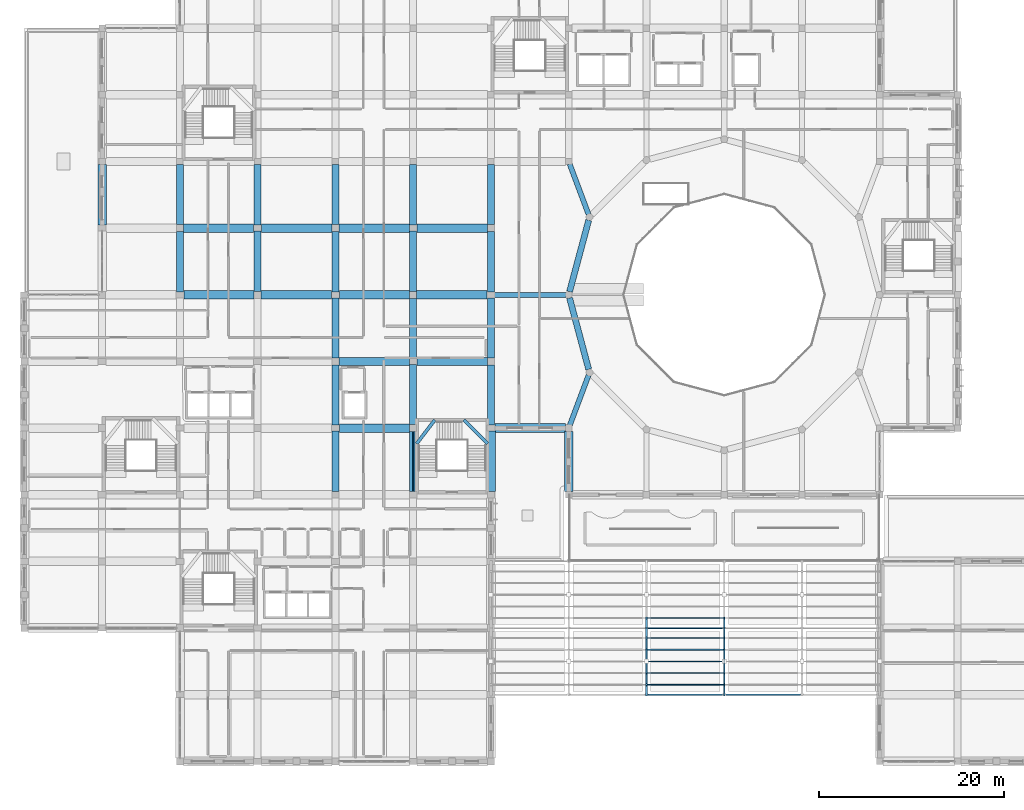
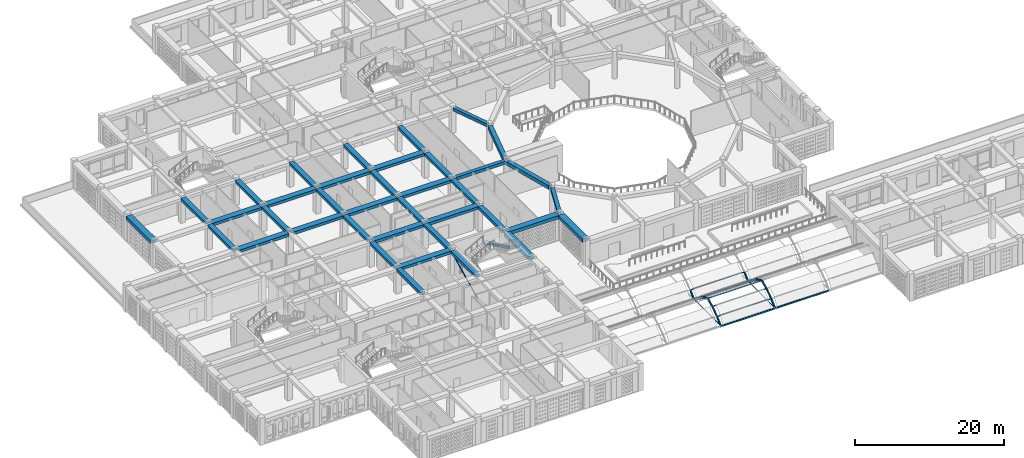
# One storey, part 10 of 100: 57 beams, 9 members.
"""IFC4 building model written with IfcOpenShell, lengths in metres."""

import ifcopenshell
import ifcopenshell.guid

model = None  # the IFC model being written
_history = None  # IfcOwnerHistory: only IFC2X3 demands one
_inside = {}  # id of a spatial element -> (the spatial element, [elements in it])
_under = {}  # id of a project, library or spatial element -> (it, [spatial elements below it])
_declared = {}  # id of a project -> (the project, [libraries it declares])
_typed = {}  # id of a type object -> (the type object, [elements of that type])
_made_of = {}  # id of a material, layer set ... -> (it, [elements and type objects made of it])


def new_model(schema):
    """Start an empty IFC model of exactly this schema.

    Asked for "IFC4X3", IfcOpenShell would pick the latest addendum, in which some entities
    have other attributes; the version numbers below select the first issue.
    IFC2X3 requires an IfcOwnerHistory on every rooted entity: one is made here for all.
    """
    global model, _history
    if schema == "IFC4X3":
        model = ifcopenshell.file(schema_version=(4, 3, 0, 0))
    else:
        model = ifcopenshell.file(schema=schema)
    _inside.clear()
    _under.clear()
    _declared.clear()
    _typed.clear()
    _made_of.clear()
    _history = None
    if model.schema == "IFC2X3":
        org = make("IfcOrganization", Name="unknown")
        user = make(
            "IfcPersonAndOrganization",
            ThePerson=make("IfcPerson", FamilyName="unknown"),
            TheOrganization=org,
        )
        app = make(
            "IfcApplication",
            ApplicationDeveloper=org,
            Version="unknown",
            ApplicationFullName="unknown",
            ApplicationIdentifier="unknown",
        )
        _history = make(
            "IfcOwnerHistory",
            OwningUser=user,
            OwningApplication=app,
            ChangeAction="ADDED",
            CreationDate=0,
        )
    return model


def make(cls, **values):
    """One entity of the class cls with the attributes given. An attribute that is None is left unset."""
    return model.create_entity(
        cls, **{name: value for name, value in values.items() if value is not None}
    )


def rooted(cls, **values):
    """An entity with a GlobalId (a new one), such as an element, a storey or a relation."""
    return make(cls, GlobalId=ifcopenshell.guid.new(), OwnerHistory=_history, **values)


def si_unit(unit_type, name, prefix=None):
    """IfcSIUnit, for example si_unit("LENGTHUNIT", "METRE", prefix="MILLI")."""
    return make("IfcSIUnit", UnitType=unit_type, Prefix=prefix, Name=name)


def derived_unit(unit_type, elements):
    """IfcDerivedUnit: a product of units, each with its exponent."""
    return make(
        "IfcDerivedUnit",
        Elements=[
            make("IfcDerivedUnitElement", Unit=unit, Exponent=power)
            for unit, power in elements
        ],
        UnitType=unit_type,
    )


def assignment(units):
    """IfcUnitAssignment: the units of a project."""
    return None if units is None else make("IfcUnitAssignment", Units=units)


def point(xyz):
    """IfcCartesianPoint."""
    return None if xyz is None else make("IfcCartesianPoint", Coordinates=xyz)


def direction(xyz):
    """IfcDirection."""
    return None if xyz is None else make("IfcDirection", DirectionRatios=xyz)


def frame(location, z_axis=None, x_axis=None):
    """IfcAxis2Placement3D, a coordinate frame: its origin and axes. An axis left out is left unset."""
    return make(
        "IfcAxis2Placement3D",
        Location=point(location),
        Axis=direction(z_axis),
        RefDirection=direction(x_axis),
    )


def frame_2d(location, x_axis=None):
    """IfcAxis2Placement2D, a coordinate frame in the plane: its origin and x axis."""
    return make(
        "IfcAxis2Placement2D", Location=point(location), RefDirection=direction(x_axis)
    )


def origin():
    """The frame at (0, 0, 0) with its axes left unset."""
    return frame((0.0, 0.0, 0.0))


def origin_2d():
    """The frame at (0, 0) in the plane with its x axis left unset."""
    return frame_2d((0.0, 0.0))


def place(relative_to, where):
    """IfcLocalPlacement: puts the frame where relative to a parent placement (None: the world)."""
    return make(
        "IfcLocalPlacement", PlacementRelTo=relative_to, RelativePlacement=where
    )


def context(
    kind, dimensions, precision=None, world=None, true_north=None, identifier=None
):
    """IfcGeometricRepresentationContext, for example the 3D "Model" context."""
    return make(
        "IfcGeometricRepresentationContext",
        ContextIdentifier=identifier,
        ContextType=kind,
        CoordinateSpaceDimension=dimensions,
        Precision=precision,
        WorldCoordinateSystem=world,
        TrueNorth=true_north,
    )


def subcontext(parent, identifier, kind, view, scale=None):
    """IfcGeometricRepresentationSubContext, for example "Body" below "Model"."""
    return make(
        "IfcGeometricRepresentationSubContext",
        ContextIdentifier=identifier,
        ContextType=kind,
        ParentContext=parent,
        TargetScale=scale,
        TargetView=view,
    )


def project(units=None, contexts=None):
    """IfcProject with its units and contexts."""
    return rooted(
        "IfcProject",
        Name="project",
        RepresentationContexts=contexts,
        UnitsInContext=assignment(units),
    )


def spatial(cls, under=None, at=None, **own):
    """A site, building, storey or space (cls), placed at a placement, below another one or the project."""
    s = rooted(cls, ObjectPlacement=at, **own)
    if under is not None:
        _under.setdefault(under.id(), (under, []))[1].append(s)
    return s


def profile(cls, at=None, kind="AREA", **sizes):
    """A parametric profile (cls). Its sizes go by their IFC names, for example OverallWidth=200.0."""
    return make(cls, ProfileType=kind, Position=at, **sizes)


def rectangle(**sizes):
    """IfcRectangleProfileDef."""
    return profile("IfcRectangleProfileDef", **sizes)


def hollow_rectangle(**sizes):
    """IfcRectangleHollowProfileDef."""
    return profile("IfcRectangleHollowProfileDef", **sizes)


def hollow_circle(**sizes):
    """IfcCircleHollowProfileDef."""
    return profile("IfcCircleHollowProfileDef", **sizes)


def i_section(**sizes):
    """IfcIShapeProfileDef."""
    return profile("IfcIShapeProfileDef", **sizes)


def extrude(swept, where, along, depth):
    """IfcExtrudedAreaSolid: the profile swept, set in the frame where, extruded along a direction by depth."""
    return make(
        "IfcExtrudedAreaSolid",
        SweptArea=swept,
        Position=where,
        ExtrudedDirection=direction(along),
        Depth=depth,
    )


def shape(context_of_items, identifier, shape_type, items):
    """IfcShapeRepresentation: the items that make up one representation, for example the "Body"."""
    return make(
        "IfcShapeRepresentation",
        ContextOfItems=context_of_items,
        RepresentationIdentifier=identifier,
        RepresentationType=shape_type,
        Items=items,
    )


def material(Name=None, Category=None):
    """IfcMaterial."""
    return make("IfcMaterial", Name=Name, Category=Category)


def material_profile(
    of_material, cross_section, Name=None, Category=None, Priority=None
):
    """IfcMaterialProfile: a cross section and its material."""
    return make(
        "IfcMaterialProfile",
        Name=Name,
        Material=of_material,
        Profile=cross_section,
        Priority=Priority,
        Category=Category,
    )


def profile_set(profiles, Name=None, composite=None):
    """IfcMaterialProfileSet."""
    return make(
        "IfcMaterialProfileSet",
        Name=Name,
        MaterialProfiles=profiles,
        CompositeProfile=composite,
    )


def made_of(thing, what):
    """Note that an element or type object is made of a material, layer set ...; save() writes the relation."""
    if what is not None:
        _made_of.setdefault(what.id(), (what, []))[1].append(thing)
    return thing


def type_object(cls, material=None, **own):
    """A type object (cls), such as IfcWallType, which elements share."""
    return made_of(rooted(cls, **own), material)


def element(
    cls,
    number,
    at=None,
    inside=None,
    cuts=None,
    type_object=None,
    material=None,
    context=None,
    identifier="Body",
    shape_type=None,
    held_by="IfcProductDefinitionShape",
    body=None,
    shapes=None,
    **own,
):
    """One element of the class cls, such as IfcWall. Its Tag is "e" and its number.

    at: its placement. inside: the storey or other place that contains it. cuts: it is an
    opening in that element (IfcRelVoidsElement). A single representation is given by context,
    identifier, shape_type and body (its items); several are given by shapes. held_by: the class
    of the entity that holds the representations. save() writes the other relations.
    """
    e = rooted(cls, Tag="e%d" % number, ObjectPlacement=at, **own)
    if body is not None:
        shapes = [shape(context, identifier, shape_type, body)]
    if shapes is not None:
        e.Representation = make(held_by, Representations=shapes)
    if inside is not None:
        _inside.setdefault(inside.id(), (inside, []))[1].append(e)
    if cuts is not None:
        rooted(
            "IfcRelVoidsElement", RelatingBuildingElement=cuts, RelatedOpeningElement=e
        )
    if type_object is not None:
        _typed.setdefault(type_object.id(), (type_object, []))[1].append(e)
    return made_of(e, material)


def aggregate(whole, parts):
    """IfcRelAggregates: a whole, such as a stair, and the parts it consists of."""
    return rooted("IfcRelAggregates", RelatingObject=whole, RelatedObjects=parts)


def save(model, path):
    """Write the relations noted so far, then the file.

    IfcRelAggregates (storeys below a building ...), IfcRelContainedInSpatialStructure (elements
    in a storey), IfcRelDefinesByType, IfcRelAssociatesMaterial and IfcRelDeclares: one each for
    every whole, place, type object, material and project.
    """
    for whole, parts in _under.values():
        aggregate(whole, parts)
    for where, things in _inside.values():
        rooted(
            "IfcRelContainedInSpatialStructure",
            RelatedElements=things,
            RelatingStructure=where,
        )
    for kind, things in _typed.values():
        rooted("IfcRelDefinesByType", RelatedObjects=things, RelatingType=kind)
    for what, things in _made_of.values():
        rooted("IfcRelAssociatesMaterial", RelatedObjects=things, RelatingMaterial=what)
    for by, libraries in _declared.values():
        rooted("IfcRelDeclares", RelatingContext=by, RelatedDefinitions=libraries)
    model.write(path)


model = new_model("IFC4")

# Units and contexts
model_context = context("Model", 3, precision=1e-05, world=origin(), true_north=direction((0.0, 1.0)))
body_context = subcontext(model_context, "Body", "Model", "MODEL_VIEW")
ifc_project = project(units=[si_unit("LENGTHUNIT", "METRE"), si_unit("AREAUNIT", "SQUARE_METRE"), si_unit("VOLUMEUNIT", "CUBIC_METRE"), si_unit("PLANEANGLEUNIT", "RADIAN"), si_unit("MASSUNIT", "GRAM", prefix="KILO"), derived_unit("THERMALTRANSMITTANCEUNIT", [(si_unit("POWERUNIT", "WATT"), 1), (si_unit("LENGTHUNIT", "METRE"), -2), (si_unit("THERMODYNAMICTEMPERATUREUNIT", "KELVIN"), -1)])], contexts=[model_context])

# Site, building, storey
site_placement = place(None, origin())
site = spatial("IfcSite", under=ifc_project, at=site_placement, CompositionType="ELEMENT")
building_placement = place(site_placement, origin())
building = spatial("IfcBuilding", under=site, at=building_placement, Name="Veybourne Emporium", CompositionType="ELEMENT")
storey_placement = place(building_placement, frame((0.0, 0.0, 14.39990234375)))
storey = spatial("IfcBuildingStorey", under=building, at=storey_placement, Name="L03", CompositionType="ELEMENT", Elevation=14.39990234375)

# Beams
ifc_material_1 = material(Name="Concrete C32/40", Category="concrete")
ifc_material_profile_1 = material_profile(ifc_material_1, rectangle(XDim=0.35009765625, YDim=0.35009765625, at=origin_2d()), Name="RC 350x350")
ifc_profile_set_1 = profile_set([ifc_material_profile_1], Name="Concrete C32/40")
beam_type_1 = type_object("IfcBeamType", Name="LandingBeam_LB-01", PredefinedType="BEAM", material=ifc_profile_set_1)
beam_1_placement = place(storey_placement, frame((42.375, 34.320068359375, 1.125), z_axis=(0.60770640308, 0.794161776753, 0.0), x_axis=(-0.794161776753, 0.60770640308, 0.0)))
element("IfcBeam", 1, at=beam_1_placement, inside=storey, type_object=beam_type_1, Name="L03 ST-05 landing 1 support beam", PredefinedType="BEAM", context=body_context, shape_type="SweptSolid", body=[
    extrude(rectangle(XDim=0.35009765625, YDim=0.35009765625, at=origin_2d()), origin(), (0.0, 0.0, 1.0), 3.217041015625),
])
beam_2_placement = place(storey_placement, frame((47.469970703125, 36.875, 2.625), z_axis=(0.707106781187, -0.707106781187, 0.0), x_axis=(0.707106781187, 0.707106781187, 0.0)))
element("IfcBeam", 2, at=beam_2_placement, inside=storey, type_object=beam_type_1, Name="L03 ST-05 landing 2 support beam", PredefinedType="BEAM", context=body_context, shape_type="SweptSolid", body=[
    extrude(rectangle(XDim=0.35009765625, YDim=0.35009765625, at=origin_2d()), origin(), (0.0, 0.0, 1.0), 3.61328125),
])
ifc_material_profile_2 = material_profile(ifc_material_1, rectangle(XDim=0.89990234375, YDim=0.449951171875, at=origin_2d()), Name="RC 900x450")
ifc_profile_set_2 = profile_set([ifc_material_profile_2], Name="Concrete C32/40")
beam_type_2 = type_object("IfcBeamType", Name="RCBeam_BB-03", PredefinedType="BEAM", material=ifc_profile_set_2)
for number, where, z_axis, x_axis, name in (
    (3, (17.22509765625, 50.39990234375, 3.955078125), (1.0, 0.0, 0.0), (0.0, 1.0, 0.0), "L03 X-grid beam BB-03 (2,7)"),
    (4, (17.175048828125, 57.60009765625, 3.955078125), (1.0, 0.0, 0.0), (0.0, 1.0, 0.0), "L03 X-grid beam BB-03 (2,8)"),
):
    element("IfcBeam", number, at=place(storey_placement, frame(where, z_axis=z_axis, x_axis=x_axis)), inside=storey, type_object=beam_type_2, Name=name, PredefinedType="BEAM", context=body_context, shape_type="SweptSolid", body=[
        extrude(rectangle(XDim=0.89990234375, YDim=0.449951171875, at=origin_2d()), origin(), (0.0, 0.0, 1.0), 7.599853515625),
    ])
for number, where, z_axis, x_axis, name in (
    (5, (25.574951171875, 50.39990234375, 3.955078125), (1.0, 0.0, 0.0), (0.0, 1.0, 0.0), "L03 X-grid beam BB-03 (3,7)"),
    (6, (25.625, 57.60009765625, 3.955078125), (1.0, 0.0, 0.0), (0.0, 1.0, 0.0), "L03 X-grid beam BB-03 (3,8)"),
    (7, (34.02490234375, 36.0, 3.955078125), (1.0, 0.0, 0.0), (0.0, 1.0, 0.0), "L03 X-grid beam BB-03 (4,5)"),
):
    element("IfcBeam", number, at=place(storey_placement, frame(where, z_axis=z_axis, x_axis=x_axis)), inside=storey, type_object=beam_type_2, Name=name, PredefinedType="BEAM", context=body_context, shape_type="SweptSolid", body=[
        extrude(rectangle(XDim=0.89990234375, YDim=0.449951171875, at=origin_2d()), origin(), (0.0, 0.0, 1.0), 7.60009765625),
    ])
beam_3_placement = place(storey_placement, frame((33.97509765625, 43.199951171875, 3.955078125), z_axis=(1.0, 0.0, 0.0), x_axis=(0.0, 1.0, 0.0)))
element("IfcBeam", 8, at=beam_3_placement, inside=storey, type_object=beam_type_2, Name="L03 X-grid beam BB-03 (4,6)", PredefinedType="BEAM", context=body_context, shape_type="SweptSolid", body=[
    extrude(rectangle(XDim=0.89990234375, YDim=0.449951171875, at=origin_2d()), origin(), (0.0, 0.0, 1.0), 7.599853515625),
])
beam_4_placement = place(storey_placement, frame((34.02490234375, 50.39990234375, 3.955078125), z_axis=(1.0, 0.0, 0.0), x_axis=(0.0, 1.0, 0.0)))
element("IfcBeam", 9, at=beam_4_placement, inside=storey, type_object=beam_type_2, Name="L03 X-grid beam BB-03 (4,7)", PredefinedType="BEAM", context=body_context, shape_type="SweptSolid", body=[
    extrude(rectangle(XDim=0.89990234375, YDim=0.449951171875, at=origin_2d()), origin(), (0.0, 0.0, 1.0), 7.60009765625),
])
for number, where, z_axis, x_axis, name in (
    (10, (33.97509765625, 57.60009765625, 3.955078125), (1.0, 0.0, 0.0), (0.0, 1.0, 0.0), "L03 X-grid beam BB-03 (4,8)"),
    (11, (42.425048828125, 43.199951171875, 3.955078125), (1.0, 0.0, 0.0), (0.0, 1.0, 0.0), "L03 X-grid beam BB-03 (5,6)"),
):
    element("IfcBeam", number, at=place(storey_placement, frame(where, z_axis=z_axis, x_axis=x_axis)), inside=storey, type_object=beam_type_2, Name=name, PredefinedType="BEAM", context=body_context, shape_type="SweptSolid", body=[
        extrude(rectangle(XDim=0.89990234375, YDim=0.449951171875, at=origin_2d()), origin(), (0.0, 0.0, 1.0), 7.599853515625),
    ])
beam_5_placement = place(storey_placement, frame((42.375, 50.39990234375, 3.955078125), z_axis=(1.0, 0.0, 0.0), x_axis=(0.0, 1.0, 0.0)))
element("IfcBeam", 12, at=beam_5_placement, inside=storey, type_object=beam_type_2, Name="L03 X-grid beam BB-03 (5,7)", PredefinedType="BEAM", context=body_context, shape_type="SweptSolid", body=[
    extrude(rectangle(XDim=0.89990234375, YDim=0.449951171875, at=origin_2d()), origin(), (0.0, 0.0, 1.0), 7.60009765625),
])
beam_6_placement = place(storey_placement, frame((42.425048828125, 57.60009765625, 3.955078125), z_axis=(1.0, 0.0, 0.0), x_axis=(0.0, 1.0, 0.0)))
element("IfcBeam", 13, at=beam_6_placement, inside=storey, type_object=beam_type_2, Name="L03 X-grid beam BB-03 (5,8)", PredefinedType="BEAM", context=body_context, shape_type="SweptSolid", body=[
    extrude(rectangle(XDim=0.89990234375, YDim=0.449951171875, at=origin_2d()), origin(), (0.0, 0.0, 1.0), 7.599853515625),
])
ifc_material_profile_3 = material_profile(ifc_material_1, rectangle(XDim=0.75, YDim=0.449951171875, at=origin_2d()), Name="RC 750x450")
ifc_profile_set_3 = profile_set([ifc_material_profile_3], Name="Concrete C32/40")
beam_type_3 = type_object("IfcBeamType", Name="RCBeam_BB-04", PredefinedType="BEAM", material=ifc_profile_set_3)
beam_7_placement = place(storey_placement, frame((16.800048828125, 50.72509765625, 3.955078125), z_axis=(0.0, 1.0, 0.0), x_axis=(-1.0, 0.0, 0.0)))
element("IfcBeam", 14, at=beam_7_placement, inside=storey, type_object=beam_type_3, Name="L03 Y-grid beam BB-04 (2,7)", PredefinedType="BEAM", context=body_context, shape_type="SweptSolid", body=[
    extrude(rectangle(XDim=0.75, YDim=0.449951171875, at=origin_2d()), origin(), (0.0, 0.0, 1.0), 6.5),
])
beam_8_placement = place(storey_placement, frame((16.800048828125, 57.97509765625, 3.955078125), z_axis=(0.0, 1.0, 0.0), x_axis=(-1.0, 0.0, 0.0)))
element("IfcBeam", 15, at=beam_8_placement, inside=storey, type_object=beam_type_3, Name="L03 Y-grid beam BB-04 (2,8)", PredefinedType="BEAM", context=body_context, shape_type="SweptSolid", body=[
    extrude(rectangle(XDim=0.75, YDim=0.449951171875, at=origin_2d()), origin(), (0.0, 0.0, 1.0), 6.474853515625),
])
beam_9_placement = place(storey_placement, frame((25.199951171875, 50.77490234375, 3.955078125), z_axis=(0.0, 1.0, 0.0), x_axis=(-1.0, 0.0, 0.0)))
element("IfcBeam", 16, at=beam_9_placement, inside=storey, type_object=beam_type_3, Name="L03 Y-grid beam BB-04 (3,7)", PredefinedType="BEAM", context=body_context, shape_type="SweptSolid", body=[
    extrude(rectangle(XDim=0.75, YDim=0.449951171875, at=origin_2d()), origin(), (0.0, 0.0, 1.0), 6.5),
])
beam_10_placement = place(storey_placement, frame((25.199951171875, 57.925048828125, 3.955078125), z_axis=(0.0, 1.0, 0.0), x_axis=(-1.0, 0.0, 0.0)))
element("IfcBeam", 17, at=beam_10_placement, inside=storey, type_object=beam_type_3, Name="L03 Y-grid beam BB-04 (3,8)", PredefinedType="BEAM", context=body_context, shape_type="SweptSolid", body=[
    extrude(rectangle(XDim=0.75, YDim=0.449951171875, at=origin_2d()), origin(), (0.0, 0.0, 1.0), 6.52490234375),
])
for number, where, z_axis, x_axis, name in (
    (18, (33.60009765625, 29.175048828125, 3.955078125), (0.0, 1.0, 0.0), (-1.0, 0.0, 0.0), "L03 Y-grid beam BB-04 (4,4)"),
    (19, (33.60009765625, 36.324951171875, 3.955078125), (0.0, 1.0, 0.0), (-1.0, 0.0, 0.0), "L03 Y-grid beam BB-04 (4,5)"),
    (20, (33.60009765625, 43.574951171875, 3.955078125), (0.0, 1.0, 0.0), (-1.0, 0.0, 0.0), "L03 Y-grid beam BB-04 (4,6)"),
    (21, (33.60009765625, 50.72509765625, 3.955078125), (0.0, 1.0, 0.0), (-1.0, 0.0, 0.0), "L03 Y-grid beam BB-04 (4,7)"),
):
    element("IfcBeam", number, at=place(storey_placement, frame(where, z_axis=z_axis, x_axis=x_axis)), inside=storey, type_object=beam_type_3, Name=name, PredefinedType="BEAM", context=body_context, shape_type="SweptSolid", body=[
        extrude(rectangle(XDim=0.75, YDim=0.449951171875, at=origin_2d()), origin(), (0.0, 0.0, 1.0), 6.5),
    ])
beam_11_placement = place(storey_placement, frame((33.60009765625, 57.97509765625, 3.955078125), z_axis=(0.0, 1.0, 0.0), x_axis=(-1.0, 0.0, 0.0)))
element("IfcBeam", 22, at=beam_11_placement, inside=storey, type_object=beam_type_3, Name="L03 Y-grid beam BB-04 (4,8)", PredefinedType="BEAM", context=body_context, shape_type="SweptSolid", body=[
    extrude(rectangle(XDim=0.75, YDim=0.449951171875, at=origin_2d()), origin(), (0.0, 0.0, 1.0), 6.474853515625),
])
for number, where, z_axis, x_axis, name in (
    (23, (42.0, 29.125, 3.955078125), (0.0, 1.0, 0.0), (-1.0, 0.0, 0.0), "L03 Y-grid beam BB-04 (5,4)"),
    (24, (42.0, 36.375, 3.955078125), (0.0, 1.0, 0.0), (-1.0, 0.0, 0.0), "L03 Y-grid beam BB-04 (5,5)"),
    (25, (42.0, 43.52490234375, 3.955078125), (0.0, 1.0, 0.0), (-1.0, 0.0, 0.0), "L03 Y-grid beam BB-04 (5,6)"),
    (26, (42.0, 50.77490234375, 3.955078125), (0.0, 1.0, 0.0), (-1.0, 0.0, 0.0), "L03 Y-grid beam BB-04 (5,7)"),
):
    element("IfcBeam", number, at=place(storey_placement, frame(where, z_axis=z_axis, x_axis=x_axis)), inside=storey, type_object=beam_type_3, Name=name, PredefinedType="BEAM", context=body_context, shape_type="SweptSolid", body=[
        extrude(rectangle(XDim=0.75, YDim=0.449951171875, at=origin_2d()), origin(), (0.0, 0.0, 1.0), 6.5),
    ])
beam_12_placement = place(storey_placement, frame((42.0, 57.925048828125, 3.955078125), z_axis=(0.0, 1.0, 0.0), x_axis=(-1.0, 0.0, 0.0)))
element("IfcBeam", 27, at=beam_12_placement, inside=storey, type_object=beam_type_3, Name="L03 Y-grid beam BB-04 (5,8)", PredefinedType="BEAM", context=body_context, shape_type="SweptSolid", body=[
    extrude(rectangle(XDim=0.75, YDim=0.449951171875, at=origin_2d()), origin(), (0.0, 0.0, 1.0), 6.52490234375),
])
for number, where, z_axis, x_axis, name in (
    (28, (50.39990234375, 36.324951171875, 3.955078125), (0.0, 1.0, 0.0), (-1.0, 0.0, 0.0), "L03 Y-grid beam BB-04 (6,5)"),
    (29, (50.39990234375, 43.574951171875, 3.955078125), (0.0, 1.0, 0.0), (-1.0, 0.0, 0.0), "L03 Y-grid beam BB-04 (6,6)"),
    (30, (50.39990234375, 50.72509765625, 3.955078125), (0.0, 1.0, 0.0), (-1.0, 0.0, 0.0), "L03 Y-grid beam BB-04 (6,7)"),
):
    element("IfcBeam", number, at=place(storey_placement, frame(where, z_axis=z_axis, x_axis=x_axis)), inside=storey, type_object=beam_type_3, Name=name, PredefinedType="BEAM", context=body_context, shape_type="SweptSolid", body=[
        extrude(rectangle(XDim=0.75, YDim=0.449951171875, at=origin_2d()), origin(), (0.0, 0.0, 1.0), 6.5),
    ])
beam_13_placement = place(storey_placement, frame((50.39990234375, 57.97509765625, 3.955078125), z_axis=(0.0, 1.0, 0.0), x_axis=(-1.0, 0.0, 0.0)))
element("IfcBeam", 31, at=beam_13_placement, inside=storey, type_object=beam_type_3, Name="L03 Y-grid beam BB-04 (6,8)", PredefinedType="BEAM", context=body_context, shape_type="SweptSolid", body=[
    extrude(rectangle(XDim=0.75, YDim=0.449951171875, at=origin_2d()), origin(), (0.0, 0.0, 1.0), 6.474853515625),
])
ifc_material_profile_4 = material_profile(ifc_material_1, rectangle(XDim=0.949951171875, YDim=0.550048828125, at=origin_2d()), Name="RC 950x550")
ifc_profile_set_4 = profile_set([ifc_material_profile_4], Name="Concrete C32/40")
beam_type_4 = type_object("IfcBeamType", Name="RCBeam_EB-01", PredefinedType="SPANDREL", material=ifc_profile_set_4)
beam_14_placement = place(storey_placement, frame((50.824951171875, 36.0, 3.905029296875), z_axis=(1.0, 0.0, 0.0), x_axis=(0.0, 1.0, 0.0)))
element("IfcBeam", 32, at=beam_14_placement, inside=storey, type_object=beam_type_4, Name="L03 X-grid beam EB-01 (6,5)", PredefinedType="SPANDREL", context=body_context, shape_type="SweptSolid", body=[
    extrude(rectangle(XDim=0.949951171875, YDim=0.550048828125, at=origin_2d()), origin(), (0.0, 0.0, 1.0), 7.60009765625),
])
beam_15_placement = place(storey_placement, frame((8.39990234375, 57.925048828125, 3.905029296875), z_axis=(0.0, 1.0, 0.0), x_axis=(-1.0, 0.0, 0.0)))
element("IfcBeam", 33, at=beam_15_placement, inside=storey, type_object=beam_type_4, Name="L03 Y-grid beam EB-01 (1,8)", PredefinedType="SPANDREL", context=body_context, shape_type="SweptSolid", body=[
    extrude(rectangle(XDim=0.949951171875, YDim=0.550048828125, at=origin_2d()), origin(), (0.0, 0.0, 1.0), 6.52490234375),
])
beam_16_placement = place(storey_placement, frame((50.39990234375, 29.175048828125, 3.905029296875), z_axis=(0.0, 1.0, 0.0), x_axis=(-1.0, 0.0, 0.0)))
element("IfcBeam", 34, at=beam_16_placement, inside=storey, type_object=beam_type_4, Name="L03 Y-grid beam EB-01 (6,4)", PredefinedType="SPANDREL", context=body_context, shape_type="SweptSolid", body=[
    extrude(rectangle(XDim=0.949951171875, YDim=0.550048828125, at=origin_2d()), origin(), (0.0, 0.0, 1.0), 6.5),
])
beam_17_placement = place(storey_placement, frame((58.800048828125, 29.14990234375, 3.905029296875), z_axis=(0.0, 1.0, 0.0), x_axis=(-1.0, 0.0, 0.0)))
element("IfcBeam", 35, at=beam_17_placement, inside=storey, type_object=beam_type_4, Name="L03 Y-grid beam EB-01 (7,4)", PredefinedType="SPANDREL", context=body_context, shape_type="SweptSolid", body=[
    extrude(rectangle(XDim=0.949951171875, YDim=0.550048828125, at=origin_2d()), origin(), (0.0, 0.0, 1.0), 6.47509765625),
])
ifc_material_profile_5 = material_profile(ifc_material_1, rectangle(XDim=0.64990234375, YDim=0.60009765625, at=origin_2d()), Name="RC 650x600")
ifc_profile_set_5 = profile_set([ifc_material_profile_5], Name="Concrete C32/40")
beam_type_5 = type_object("IfcBeamType", Name="RCBeam_EB-02", PredefinedType="BEAM", material=ifc_profile_set_5)
for number, where, z_axis, x_axis, name in (
    (36, (60.958984375, 58.45703125, 3.880126953125), (-0.258836425556, -0.965921169043, 0.0), (0.965921169043, -0.258836425556, 0.0), "Atrium ring beam EB-02 L03-06"),
    (37, (58.891845703125, 50.05712890625, 3.880126953125), (0.258836425556, -0.965921169043, 0.0), (0.965921169043, 0.258836425556, 0.0), "Atrium ring beam EB-02 L03-07"),
):
    element("IfcBeam", number, at=place(storey_placement, frame(where, z_axis=z_axis, x_axis=x_axis)), inside=storey, type_object=beam_type_5, Name=name, PredefinedType="BEAM", context=body_context, shape_type="SweptSolid", body=[
        extrude(rectangle(XDim=0.64990234375, YDim=0.60009765625, at=origin_2d()), origin(), (0.0, 0.0, 1.0), 7.986328125),
    ])
ifc_material_profile_6 = material_profile(ifc_material_1, rectangle(XDim=0.550048828125, YDim=0.5, at=origin_2d()), Name="RC 550x500")
ifc_profile_set_6 = profile_set([ifc_material_profile_6], Name="Concrete C32/40")
beam_type_6 = type_object("IfcBeamType", Name="RCBeam_TB-01", PredefinedType="BEAM", material=ifc_profile_set_6)
beam_18_placement = place(storey_placement, frame((60.940185546875, 59.094970703125, 3.93017578125), z_axis=(-0.351234086371, 0.936287678318, 0.0), x_axis=(-0.936287678318, -0.351234086371, 0.0)))
element("IfcBeam", 38, at=beam_18_placement, inside=storey, type_object=beam_type_6, Name="Atrium radial tie beam L03-06", PredefinedType="BEAM", context=body_context, shape_type="SweptSolid", body=[
    extrude(rectangle(XDim=0.550048828125, YDim=0.5, at=origin_2d()), origin(), (0.0, 0.0, 1.0), 5.80322265625),
])
beam_19_placement = place(storey_placement, frame((58.485107421875, 50.39990234375, 3.93017578125), z_axis=(-1.0, 0.0, 0.0), x_axis=(0.0, -1.0, 0.0)))
element("IfcBeam", 39, at=beam_19_placement, inside=storey, type_object=beam_type_6, Name="Atrium radial tie beam L03-07", PredefinedType="BEAM", context=body_context, shape_type="SweptSolid", body=[
    extrude(rectangle(XDim=0.550048828125, YDim=0.5, at=origin_2d()), origin(), (0.0, 0.0, 1.0), 7.820068359375),
])
beam_20_placement = place(storey_placement, frame((60.940185546875, 41.705078125, 3.93017578125), z_axis=(-0.351234565667, -0.936287498518, 0.0), x_axis=(0.936287498518, -0.351234565667, 0.0)))
element("IfcBeam", 40, at=beam_20_placement, inside=storey, type_object=beam_type_6, Name="Atrium radial tie beam L03-08", PredefinedType="BEAM", context=body_context, shape_type="SweptSolid", body=[
    extrude(rectangle(XDim=0.550048828125, YDim=0.5, at=origin_2d()), origin(), (0.0, 0.0, 1.0), 5.7783203125),
])
ifc_material_2 = material(Name="Steel S355", Category="steel")
ifc_material_profile_7 = material_profile(ifc_material_2, i_section(OverallWidth=0.17138671875, OverallDepth=0.35498046875, WebThickness=0.00732421875, FlangeThickness=0.011474609375, FilletRadius=0.01025390625, at=origin_2d()), Name="UKB 356x171x51")
ifc_profile_set_7 = profile_set([ifc_material_profile_7], Name="Steel S355")
beam_type_7 = type_object("IfcBeamType", Name="SteelBeam_AR-01", PredefinedType="BEAM", material=ifc_profile_set_7)
beam_21_placement = place(storey_placement, frame((67.199951171875, 7.199951171875, 0.02001953125), z_axis=(0.0, 0.749966467032, 0.661475848635), x_axis=(-1.0, 0.0, 0.0)))
element("IfcBeam", 41, at=beam_21_placement, inside=storey, type_object=beam_type_7, Name="Arcade barrel-vault arch chord AR-01 VA.2.1", PredefinedType="BEAM", context=body_context, shape_type="SweptSolid", body=[
    extrude(i_section(OverallWidth=0.17138671875, OverallDepth=0.35498046875, WebThickness=0.00732421875, FlangeThickness=0.011474609375, FilletRadius=0.01025390625, at=origin_2d()), origin(), (0.0, 0.0, 1.0), 1.440185546875),
])
beam_22_placement = place(storey_placement, frame((67.199951171875, 13.320068359375, 0.97265625), z_axis=(0.0, 0.749892278371, -0.661559952567), x_axis=(-1.0, 0.0, 0.0)))
element("IfcBeam", 42, at=beam_22_placement, inside=storey, type_object=beam_type_7, Name="Arcade barrel-vault arch chord AR-01 VA.2.6", PredefinedType="BEAM", context=body_context, shape_type="SweptSolid", body=[
    extrude(i_section(OverallWidth=0.17138671875, OverallDepth=0.35498046875, WebThickness=0.00732421875, FlangeThickness=0.011474609375, FilletRadius=0.01025390625, at=origin_2d()), origin(), (0.0, 0.0, 1.0), 1.43994140625),
])
beam_23_placement = place(storey_placement, frame((75.60009765625, 7.199951171875, 0.02001953125), z_axis=(0.0, 0.749966467032, 0.661475848635), x_axis=(-1.0, 0.0, 0.0)))
element("IfcBeam", 43, at=beam_23_placement, inside=storey, type_object=beam_type_7, Name="Arcade barrel-vault arch chord AR-01 VA.3.1", PredefinedType="BEAM", context=body_context, shape_type="SweptSolid", body=[
    extrude(i_section(OverallWidth=0.17138671875, OverallDepth=0.35498046875, WebThickness=0.00732421875, FlangeThickness=0.011474609375, FilletRadius=0.01025390625, at=origin_2d()), origin(), (0.0, 0.0, 1.0), 1.440185546875),
])
beam_24_placement = place(storey_placement, frame((75.60009765625, 13.320068359375, 0.97265625), z_axis=(0.0, 0.749892278371, -0.661559952567), x_axis=(-1.0, 0.0, 0.0)))
element("IfcBeam", 44, at=beam_24_placement, inside=storey, type_object=beam_type_7, Name="Arcade barrel-vault arch chord AR-01 VA.3.6", PredefinedType="BEAM", context=body_context, shape_type="SweptSolid", body=[
    extrude(i_section(OverallWidth=0.17138671875, OverallDepth=0.35498046875, WebThickness=0.00732421875, FlangeThickness=0.011474609375, FilletRadius=0.01025390625, at=origin_2d()), origin(), (0.0, 0.0, 1.0), 1.43994140625),
])
for number, where, z_axis, x_axis, name in (
    (45, (67.199951171875, 14.39990234375, 0.02001953125), (0.0, 0.749966467032, 0.661475848635), (-1.0, 0.0, 0.0), "Arcade barrel-vault arch chord AR-01 VB.2.1"),
    (46, (75.60009765625, 14.39990234375, 0.02001953125), (0.0, 0.749966467032, 0.661475848635), (-1.0, 0.0, 0.0), "Arcade barrel-vault arch chord AR-01 VB.3.1"),
):
    element("IfcBeam", number, at=place(storey_placement, frame(where, z_axis=z_axis, x_axis=x_axis)), inside=storey, type_object=beam_type_7, Name=name, PredefinedType="BEAM", context=body_context, shape_type="SweptSolid", body=[
        extrude(i_section(OverallWidth=0.17138671875, OverallDepth=0.35498046875, WebThickness=0.00732421875, FlangeThickness=0.011474609375, FilletRadius=0.01025390625, at=origin_2d()), origin(), (0.0, 0.0, 1.0), 1.440185546875),
    ])
ifc_material_profile_8 = material_profile(ifc_material_2, i_section(OverallWidth=0.1650390625, OverallDepth=0.303466796875, WebThickness=0.006103515625, FlangeThickness=0.01025390625, FilletRadius=0.0087890625, at=origin_2d()), Name="UKB 305x165x40")
ifc_profile_set_8 = profile_set([ifc_material_profile_8], Name="Steel S355")
beam_type_8 = type_object("IfcBeamType", Name="SteelBeam_AR-02", PredefinedType="BEAM", material=ifc_profile_set_8)
beam_25_placement = place(storey_placement, frame((67.199951171875, 8.280029296875, 0.998291015625), z_axis=(0.0, 0.813690857811, 0.581297847849), x_axis=(-1.0, 0.0, 0.0)))
element("IfcBeam", 47, at=beam_25_placement, inside=storey, type_object=beam_type_8, Name="Arcade barrel-vault arch chord AR-02 VA.2.2", PredefinedType="BEAM", context=body_context, shape_type="SweptSolid", body=[
    extrude(i_section(OverallWidth=0.1650390625, OverallDepth=0.303466796875, WebThickness=0.006103515625, FlangeThickness=0.01025390625, FilletRadius=0.0087890625, at=origin_2d()), origin(), (0.0, 0.0, 1.0), 1.548583984375),
])
for number, where, z_axis, x_axis, name in (
    (48, (67.199951171875, 9.5400390625, 1.8984375), (0.0, 0.916479008247, 0.400082775738), (-1.0, 0.0, 0.0), "Arcade barrel-vault arch chord AR-02 VA.2.3"),
    (49, (67.199951171875, 10.800048828125, 2.448486328125), (0.0, 0.916479008247, -0.400082775738), (-1.0, 0.0, 0.0), "Arcade barrel-vault arch chord AR-02 VA.2.4"),
):
    element("IfcBeam", number, at=place(storey_placement, frame(where, z_axis=z_axis, x_axis=x_axis)), inside=storey, type_object=beam_type_8, Name=name, PredefinedType="BEAM", context=body_context, shape_type="SweptSolid", body=[
        extrude(i_section(OverallWidth=0.1650390625, OverallDepth=0.303466796875, WebThickness=0.006103515625, FlangeThickness=0.01025390625, FilletRadius=0.0087890625, at=origin_2d()), origin(), (0.0, 0.0, 1.0), 1.374755859375),
    ])
for number, where, z_axis, x_axis, name in (
    (50, (67.199951171875, 12.06005859375, 1.8984375), (0.0, 0.813690857811, -0.581297847849), (-1.0, 0.0, 0.0), "Arcade barrel-vault arch chord AR-02 VA.2.5"),
    (51, (75.60009765625, 8.280029296875, 0.998291015625), (0.0, 0.813690857811, 0.581297847849), (-1.0, 0.0, 0.0), "Arcade barrel-vault arch chord AR-02 VA.3.2"),
):
    element("IfcBeam", number, at=place(storey_placement, frame(where, z_axis=z_axis, x_axis=x_axis)), inside=storey, type_object=beam_type_8, Name=name, PredefinedType="BEAM", context=body_context, shape_type="SweptSolid", body=[
        extrude(i_section(OverallWidth=0.1650390625, OverallDepth=0.303466796875, WebThickness=0.006103515625, FlangeThickness=0.01025390625, FilletRadius=0.0087890625, at=origin_2d()), origin(), (0.0, 0.0, 1.0), 1.548583984375),
    ])
for number, where, z_axis, x_axis, name in (
    (52, (75.60009765625, 9.5400390625, 1.8984375), (0.0, 0.916479008247, 0.400082775738), (-1.0, 0.0, 0.0), "Arcade barrel-vault arch chord AR-02 VA.3.3"),
    (53, (75.60009765625, 10.800048828125, 2.448486328125), (0.0, 0.916479008247, -0.400082775738), (-1.0, 0.0, 0.0), "Arcade barrel-vault arch chord AR-02 VA.3.4"),
):
    element("IfcBeam", number, at=place(storey_placement, frame(where, z_axis=z_axis, x_axis=x_axis)), inside=storey, type_object=beam_type_8, Name=name, PredefinedType="BEAM", context=body_context, shape_type="SweptSolid", body=[
        extrude(i_section(OverallWidth=0.1650390625, OverallDepth=0.303466796875, WebThickness=0.006103515625, FlangeThickness=0.01025390625, FilletRadius=0.0087890625, at=origin_2d()), origin(), (0.0, 0.0, 1.0), 1.374755859375),
    ])
beam_26_placement = place(storey_placement, frame((75.60009765625, 12.06005859375, 1.8984375), z_axis=(0.0, 0.813690857811, -0.581297847849), x_axis=(-1.0, 0.0, 0.0)))
element("IfcBeam", 54, at=beam_26_placement, inside=storey, type_object=beam_type_8, Name="Arcade barrel-vault arch chord AR-02 VA.3.5", PredefinedType="BEAM", context=body_context, shape_type="SweptSolid", body=[
    extrude(i_section(OverallWidth=0.1650390625, OverallDepth=0.303466796875, WebThickness=0.006103515625, FlangeThickness=0.01025390625, FilletRadius=0.0087890625, at=origin_2d()), origin(), (0.0, 0.0, 1.0), 1.548583984375),
])
ifc_material_profile_9 = material_profile(ifc_material_2, hollow_rectangle(XDim=0.14990234375, YDim=0.25, WallThickness=0.008056640625, InnerFilletRadius=0.011962890625, OuterFilletRadius=0.02001953125, at=origin_2d()), Name="RHS 250x150x8")
ifc_profile_set_9 = profile_set([ifc_material_profile_9], Name="Steel S355")
beam_type_9 = type_object("IfcBeamType", Name="SteelBeam_AR-03", PredefinedType="BEAM", material=ifc_profile_set_9)
for number, where, z_axis, x_axis, name in (
    (55, (67.35009765625, 7.199951171875, 0.125), (1.0, 0.0, 0.0), (0.0, 1.0, 0.0), "Arcade springing edge beam B2.Y7"),
    (56, (67.35009765625, 14.39990234375, 0.125), (1.0, 0.0, 0.0), (0.0, 1.0, 0.0), "Arcade springing edge beam B2.Y14"),
):
    element("IfcBeam", number, at=place(storey_placement, frame(where, z_axis=z_axis, x_axis=x_axis)), inside=storey, type_object=beam_type_9, Name=name, PredefinedType="BEAM", context=body_context, shape_type="SweptSolid", body=[
        extrude(hollow_rectangle(XDim=0.14990234375, YDim=0.25, WallThickness=0.008056640625, InnerFilletRadius=0.011962890625, OuterFilletRadius=0.02001953125, at=origin_2d()), origin(), (0.0, 0.0, 1.0), 8.099853515625),
    ])
beam_27_placement = place(storey_placement, frame((75.75, 7.199951171875, 0.125), z_axis=(1.0, 0.0, 0.0), x_axis=(0.0, 1.0, 0.0)))
element("IfcBeam", 57, at=beam_27_placement, inside=storey, type_object=beam_type_9, Name="Arcade springing edge beam B3.Y7", PredefinedType="BEAM", context=body_context, shape_type="SweptSolid", body=[
    extrude(hollow_rectangle(XDim=0.14990234375, YDim=0.25, WallThickness=0.008056640625, InnerFilletRadius=0.011962890625, OuterFilletRadius=0.02001953125, at=origin_2d()), origin(), (0.0, 0.0, 1.0), 8.10009765625),
])

# Members
ifc_material_profile_10 = material_profile(ifc_material_2, hollow_rectangle(XDim=0.080078125, YDim=0.159912109375, WallThickness=0.00634765625, InnerFilletRadius=0.009521484375, OuterFilletRadius=0.015869140625, at=origin_2d()), Name="RHS 160x80x6.3")
ifc_profile_set_10 = profile_set([ifc_material_profile_10], Name="Steel S355")
member_type_1 = type_object("IfcMemberType", Name="SteelMem_AP-01", PredefinedType="PURLIN", material=ifc_profile_set_10)
for number, where, z_axis, x_axis, name in (
    (58, (67.199951171875, 8.280029296875, 1.045166015625), (1.0, 0.0, 0.0), (0.0, 1.0, 0.0), "Arcade vault purlin AP-01 VA.2.1"),
    (59, (67.199951171875, 9.5400390625, 1.945068359375), (1.0, 0.0, 0.0), (0.0, 1.0, 0.0), "Arcade vault purlin AP-01 VA.2.2"),
    (60, (67.199951171875, 10.800048828125, 2.4951171875), (1.0, 0.0, 0.0), (0.0, 1.0, 0.0), "Arcade vault purlin AP-01 VA.2.3"),
    (61, (67.199951171875, 12.06005859375, 1.945068359375), (1.0, 0.0, 0.0), (0.0, 1.0, 0.0), "Arcade vault purlin AP-01 VA.2.4"),
    (62, (67.199951171875, 13.320068359375, 1.045166015625), (1.0, 0.0, 0.0), (0.0, 1.0, 0.0), "Arcade vault purlin AP-01 VA.2.5"),
    (63, (67.199951171875, 15.47998046875, 1.045166015625), (1.0, 0.0, 0.0), (0.0, 1.0, 0.0), "Arcade vault purlin AP-01 VB.2.1"),
):
    element("IfcMember", number, at=place(storey_placement, frame(where, z_axis=z_axis, x_axis=x_axis)), inside=storey, type_object=member_type_1, Name=name, PredefinedType="PURLIN", context=body_context, shape_type="SweptSolid", body=[
        extrude(hollow_rectangle(XDim=0.080078125, YDim=0.159912109375, WallThickness=0.00634765625, InnerFilletRadius=0.009521484375, OuterFilletRadius=0.015869140625, at=origin_2d()), origin(), (0.0, 0.0, 1.0), 8.400146484375),
    ])
ifc_material_profile_11 = material_profile(ifc_material_2, hollow_circle(Radius=0.084228515625, WallThickness=0.008056640625, at=origin_2d()), Name="CHS 168.3x8.0")
ifc_profile_set_11 = profile_set([ifc_material_profile_11], Name="Steel S355")
member_type_2 = type_object("IfcMemberType", Name="SteelMem_AT-01", PredefinedType="CHORD", material=ifc_profile_set_11)
for number, where, z_axis, x_axis, name in (
    (64, (67.199951171875, 7.39990234375, 0.1201171875), (0.0, 1.0, 0.0), (-1.0, 0.0, 0.0), "Arcade arch tension tie VA-02"),
    (65, (75.60009765625, 7.39990234375, 0.1201171875), (0.0, 1.0, 0.0), (-1.0, 0.0, 0.0), "Arcade arch tension tie VA-03"),
):
    element("IfcMember", number, at=place(storey_placement, frame(where, z_axis=z_axis, x_axis=x_axis)), inside=storey, type_object=member_type_2, Name=name, PredefinedType="CHORD", context=body_context, shape_type="SweptSolid", body=[
        extrude(hollow_circle(Radius=0.084228515625, WallThickness=0.008056640625, at=origin_2d()), origin(), (0.0, 0.0, 1.0), 6.800048828125),
    ])
ifc_material_profile_12 = material_profile(ifc_material_2, hollow_circle(Radius=0.084228515625, WallThickness=0.008056640625, at=origin_2d()), Name="CHS 168.3x8.0")
ifc_profile_set_12 = profile_set([ifc_material_profile_12], Name="Steel S355")
member_type_3 = type_object("IfcMemberType", Name="SteelMem_DB-01", PredefinedType="BRACE", material=ifc_profile_set_12)
member_placement = place(storey_placement, frame((42.0, 29.02001953125, 0.25), z_axis=(0.0, 0.897061623358, 0.441905469414), x_axis=(-1.0, 0.0, 0.0)))
element("IfcMember", 66, at=member_placement, inside=storey, type_object=member_type_3, Name="Internal lateral frame brace DB-01.10 (L03)", PredefinedType="BRACE", context=body_context, shape_type="SweptSolid", body=[
    extrude(hollow_circle(Radius=0.084228515625, WallThickness=0.008056640625, at=origin_2d()), origin(), (0.0, 0.0, 1.0), 7.53564453125),
])

save(model, "model.ifc")
